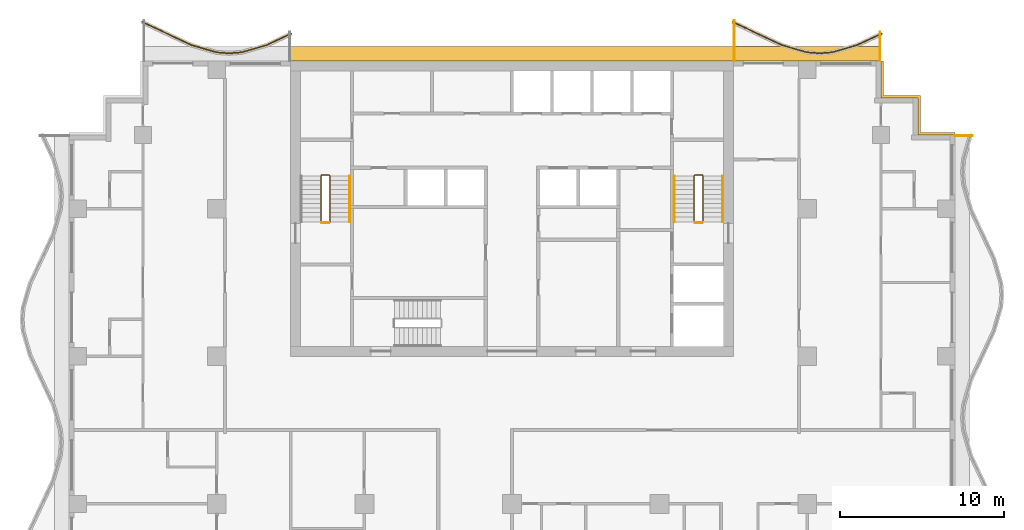
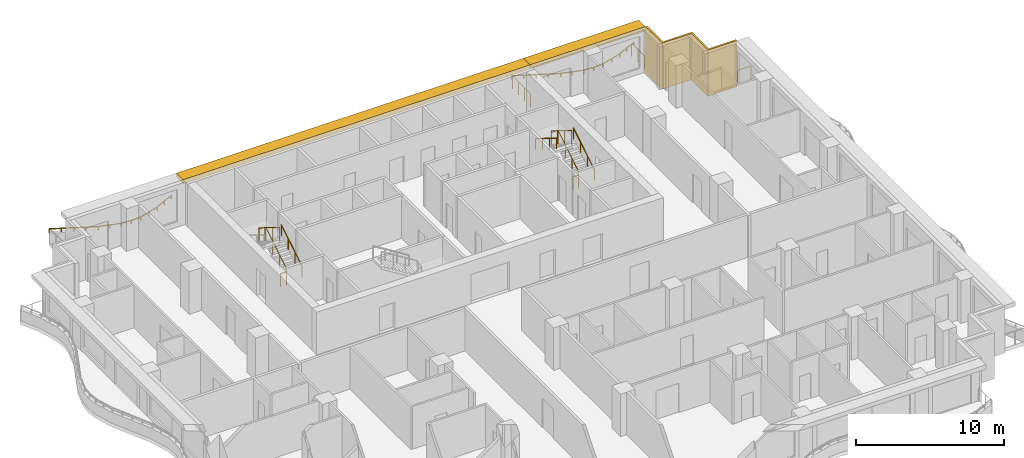
# One storey, part 11 of 11: 12 railings, 3 shading devices.
"""IFC4 building model written with IfcOpenShell, lengths in metres."""

from ifc_helpers import new_model, si_unit, direction, frame, origin, origin_2d, place, context, subcontext, project, spatial, polyline, rectangle, circle, outline, extrude, material, layer, layer_set, type_object, element, save


model = new_model("IFC4")

# Units and contexts
model_context = context("Model", 3, precision=1e-05, world=origin(), true_north=direction((0.0, 1.0)))
body_context = subcontext(model_context, "Body", "Model", "MODEL_VIEW")
ifc_project = project(units=[si_unit("LENGTHUNIT", "METRE"), si_unit("AREAUNIT", "SQUARE_METRE"), si_unit("VOLUMEUNIT", "CUBIC_METRE"), si_unit("PLANEANGLEUNIT", "RADIAN"), si_unit("MASSUNIT", "GRAM", prefix="KILO")], contexts=[model_context])

# Site, building, storey
site_placement = place(None, origin())
site = spatial("IfcSite", under=ifc_project, at=site_placement, CompositionType="ELEMENT")
building_placement = place(site_placement, origin())
building = spatial("IfcBuilding", under=site, at=building_placement, Name="Orbiselva Terraces", CompositionType="ELEMENT")
storey_placement = place(building_placement, frame((0.0, 0.0, 195.8)))
storey = spatial("IfcBuildingStorey", under=building, at=storey_placement, Name="L49", CompositionType="ELEMENT", Elevation=195.8)

# Railings
ifc_material_1 = material(Name="Stainless steel", Category="steel")
railing_type_1 = type_object("IfcRailingType", Name="CORE-GUARD-1100", PredefinedType="GUARDRAIL", material=ifc_material_1)
railing_1_placement = place(storey_placement, frame((-11.1, 12.7, 0.172727)))
element("IfcRailing", 1, at=railing_1_placement, inside=storey, type_object=railing_type_1, Name="L49 S1 stair guard 1", PredefinedType="GUARDRAIL", context=body_context, shape_type="SweptSolid", body=[
    extrude(circle(Radius=0.024, at=origin_2d()), frame((0.0, 0.0, 1.081), z_axis=(0.0, 0.851088519012, 0.52502222125), x_axis=(-1.0, 0.0, 0.0)), (0.0, 0.0, 1.0), 3.289905),
    extrude(circle(Radius=0.024, at=origin_2d()), frame((0.0, 2.8, 2.808273), z_axis=(-0.707106781187, 0.707106781187, 0.0), x_axis=(-0.707106781187, -0.707106781187, 0.0)), (0.0, 0.0, 1.0), 0.070711),
    extrude(circle(Radius=0.024, at=origin_2d()), frame((-0.05, 2.85, 2.808273), z_axis=(-1.0, 0.0, 0.0), x_axis=(0.0, -1.0, 0.0)), (0.0, 0.0, 1.0), 0.45),
    extrude(circle(Radius=0.024, at=origin_2d()), frame((-0.5, 2.85, 2.808273), z_axis=(-0.267894925557, -0.267894925557, 0.925453736133), x_axis=(0.707106781187, -0.707106781187, 0.0)), (0.0, 0.0, 1.0), 0.18664),
    extrude(circle(Radius=0.024, at=origin_2d()), frame((-0.55, 2.8, 2.981), z_axis=(0.0, -0.851088519012, 0.52502222125), x_axis=(1.0, 0.0, 0.0)), (0.0, 0.0, 1.0), 3.289905),
    extrude(circle(Radius=0.021, at=origin_2d()), origin(), (0.0, 0.0, 1.0), 1.057),
    extrude(circle(Radius=0.021, at=origin_2d()), frame((0.0, 0.933333, 0.575758)), (0.0, 0.0, 1.0), 1.057),
    extrude(circle(Radius=0.021, at=origin_2d()), frame((0.0, 1.866667, 1.151515)), (0.0, 0.0, 1.0), 1.057),
    extrude(circle(Radius=0.021, at=origin_2d()), frame((0.0, 2.8, 1.727273)), (0.0, 0.0, 1.0), 1.057),
    extrude(circle(Radius=0.021, at=origin_2d()), frame((-0.05, 2.85, 1.727273)), (0.0, 0.0, 1.0), 1.057),
    extrude(circle(Radius=0.021, at=origin_2d()), frame((-0.5, 2.85, 1.727273)), (0.0, 0.0, 1.0), 1.057),
    extrude(circle(Radius=0.021, at=origin_2d()), frame((-0.55, 2.8, 1.9)), (0.0, 0.0, 1.0), 1.057),
    extrude(circle(Radius=0.021, at=origin_2d()), frame((-0.55, 1.866667, 2.475758)), (0.0, 0.0, 1.0), 1.057),
    extrude(circle(Radius=0.021, at=origin_2d()), frame((-0.55, 0.933333, 3.051515)), (0.0, 0.0, 1.0), 1.057),
    extrude(circle(Radius=0.021, at=origin_2d()), frame((-0.55, 0.0, 3.627273)), (0.0, 0.0, 1.0), 1.057),
])
railing_2_placement = place(storey_placement, frame((-11.15, 12.65, 0.0)))
element("IfcRailing", 2, at=railing_2_placement, inside=storey, type_object=railing_type_1, Name="L49 S1 stair guard 2", PredefinedType="GUARDRAIL", context=body_context, shape_type="SweptSolid", body=[
    extrude(circle(Radius=0.024, at=origin_2d()), frame((0.0, 0.0, 1.081), z_axis=(-1.0, 0.0, 0.0), x_axis=(0.0, -1.0, 0.0)), (0.0, 0.0, 1.0), 0.45),
    extrude(circle(Radius=0.021, at=origin_2d()), origin(), (0.0, 0.0, 1.0), 1.057),
    extrude(circle(Radius=0.021, at=origin_2d()), frame((-0.45, 0.0, 0.0)), (0.0, 0.0, 1.0), 1.057),
])
railing_3_placement = place(storey_placement, frame((11.65, 12.7, 0.172727)))
element("IfcRailing", 3, at=railing_3_placement, inside=storey, type_object=railing_type_1, Name="L49 S2 stair guard 1", PredefinedType="GUARDRAIL", context=body_context, shape_type="SweptSolid", body=[
    extrude(circle(Radius=0.024, at=origin_2d()), frame((0.0, 0.0, 1.081), z_axis=(0.0, 0.851088519012, 0.52502222125), x_axis=(-1.0, 0.0, 0.0)), (0.0, 0.0, 1.0), 3.289905),
    extrude(circle(Radius=0.024, at=origin_2d()), frame((0.0, 2.8, 2.808273), z_axis=(-0.707106781187, 0.707106781187, 0.0), x_axis=(-0.707106781187, -0.707106781187, 0.0)), (0.0, 0.0, 1.0), 0.070711),
    extrude(circle(Radius=0.024, at=origin_2d()), frame((-0.05, 2.85, 2.808273), z_axis=(-1.0, 0.0, 0.0), x_axis=(0.0, -1.0, 0.0)), (0.0, 0.0, 1.0), 0.45),
    extrude(circle(Radius=0.024, at=origin_2d()), frame((-0.5, 2.85, 2.808273), z_axis=(-0.267894925557, -0.267894925557, 0.925453736133), x_axis=(0.707106781187, -0.707106781187, 0.0)), (0.0, 0.0, 1.0), 0.18664),
    extrude(circle(Radius=0.024, at=origin_2d()), frame((-0.55, 2.8, 2.981), z_axis=(0.0, -0.851088519012, 0.52502222125), x_axis=(1.0, 0.0, 0.0)), (0.0, 0.0, 1.0), 3.289905),
    extrude(circle(Radius=0.021, at=origin_2d()), origin(), (0.0, 0.0, 1.0), 1.057),
    extrude(circle(Radius=0.021, at=origin_2d()), frame((0.0, 0.933333, 0.575758)), (0.0, 0.0, 1.0), 1.057),
    extrude(circle(Radius=0.021, at=origin_2d()), frame((0.0, 1.866667, 1.151515)), (0.0, 0.0, 1.0), 1.057),
    extrude(circle(Radius=0.021, at=origin_2d()), frame((0.0, 2.8, 1.727273)), (0.0, 0.0, 1.0), 1.057),
    extrude(circle(Radius=0.021, at=origin_2d()), frame((-0.05, 2.85, 1.727273)), (0.0, 0.0, 1.0), 1.057),
    extrude(circle(Radius=0.021, at=origin_2d()), frame((-0.5, 2.85, 1.727273)), (0.0, 0.0, 1.0), 1.057),
    extrude(circle(Radius=0.021, at=origin_2d()), frame((-0.55, 2.8, 1.9)), (0.0, 0.0, 1.0), 1.057),
    extrude(circle(Radius=0.021, at=origin_2d()), frame((-0.55, 1.866667, 2.475758)), (0.0, 0.0, 1.0), 1.057),
    extrude(circle(Radius=0.021, at=origin_2d()), frame((-0.55, 0.933333, 3.051515)), (0.0, 0.0, 1.0), 1.057),
    extrude(circle(Radius=0.021, at=origin_2d()), frame((-0.55, 0.0, 3.627273)), (0.0, 0.0, 1.0), 1.057),
])
railing_4_placement = place(storey_placement, frame((11.6, 12.65, 0.0)))
element("IfcRailing", 4, at=railing_4_placement, inside=storey, type_object=railing_type_1, Name="L49 S2 stair guard 2", PredefinedType="GUARDRAIL", context=body_context, shape_type="SweptSolid", body=[
    extrude(circle(Radius=0.024, at=origin_2d()), frame((0.0, 0.0, 1.081), z_axis=(-1.0, 0.0, 0.0), x_axis=(0.0, -1.0, 0.0)), (0.0, 0.0, 1.0), 0.45),
    extrude(circle(Radius=0.021, at=origin_2d()), origin(), (0.0, 0.0, 1.0), 1.057),
    extrude(circle(Radius=0.021, at=origin_2d()), frame((-0.45, 0.0, 0.0)), (0.0, 0.0, 1.0), 1.057),
])
railing_type_2 = type_object("IfcRailingType", Name="CORE-HANDRAIL-900", PredefinedType="HANDRAIL", material=ifc_material_1)
for number, where, name in (
    (5, (-9.9, 12.7, 0.172727), "L49 S1 stair handrail 1"),
    (6, (12.85, 12.7, 0.172727), "L49 S2 stair handrail 1"),
):
    element("IfcRailing", number, at=place(storey_placement, frame(where)), inside=storey, type_object=railing_type_2, Name=name, PredefinedType="HANDRAIL", context=body_context, shape_type="SweptSolid", body=[
        extrude(circle(Radius=0.024, at=origin_2d()), frame((0.0, 0.0, 0.876), z_axis=(0.0, 0.851088519012, 0.52502222125), x_axis=(-1.0, 0.0, 0.0)), (0.0, 0.0, 1.0), 3.289905),
        extrude(circle(Radius=0.021, at=origin_2d()), origin(), (0.0, 0.0, 1.0), 0.852),
        extrude(circle(Radius=0.021, at=origin_2d()), frame((0.0, 0.933333, 0.575758)), (0.0, 0.0, 1.0), 0.852),
        extrude(circle(Radius=0.021, at=origin_2d()), frame((0.0, 1.866667, 1.151515)), (0.0, 0.0, 1.0), 0.852),
        extrude(circle(Radius=0.021, at=origin_2d()), frame((0.0, 2.8, 1.727273)), (0.0, 0.0, 1.0), 0.852),
    ])
railing_5_placement = place(storey_placement, frame((9.9, 15.5, 2.072727)))
element("IfcRailing", 7, at=railing_5_placement, inside=storey, type_object=railing_type_2, Name="L49 S2 stair handrail 2", PredefinedType="HANDRAIL", context=body_context, shape_type="SweptSolid", body=[
    extrude(circle(Radius=0.024, at=origin_2d()), frame((0.0, 0.0, 0.876), z_axis=(0.0, -0.851088519012, 0.52502222125), x_axis=(1.0, 0.0, 0.0)), (0.0, 0.0, 1.0), 3.289905),
    extrude(circle(Radius=0.021, at=origin_2d()), origin(), (0.0, 0.0, 1.0), 0.852),
    extrude(circle(Radius=0.021, at=origin_2d()), frame((0.0, -0.933333, 0.575758)), (0.0, 0.0, 1.0), 0.852),
    extrude(circle(Radius=0.021, at=origin_2d()), frame((0.0, -1.866667, 1.151515)), (0.0, 0.0, 1.0), 0.852),
    extrude(circle(Radius=0.021, at=origin_2d()), frame((0.0, -2.8, 1.727273)), (0.0, 0.0, 1.0), 0.852),
])
ifc_material_2 = material(Name="Bonded two-ply safety glass balustrade, stainless steel posts", Category="steel")
railing_type_3 = type_object("IfcRailingType", Name="ENV-BALUSTRADE-1200", PredefinedType="BALUSTRADE", material=ifc_material_2)
railing_6_placement = place(storey_placement, frame((22.553191, 24.186882, 0.9)))
element("IfcRailing", 8, at=railing_6_placement, inside=storey, type_object=railing_type_3, Name="Balcony balustrade L49 NE", PredefinedType="BALUSTRADE", context=body_context, shape_type="SweptSolid", body=[
    extrude(outline(polyline([(0.028868, 0.0), (0.014434, 0.025), (-0.014434, 0.025), (-0.028868, 0.0), (-0.014434, -0.025), (0.014434, -0.025), (0.028868, 0.0)])), frame((0.0, 0.0, 0.275), z_axis=(-0.904944157382, -0.425530342069, 0.0), x_axis=(0.425530342069, -0.904944157382, 0.0)), (0.0, 0.0, 1.0), 1.667376),
    extrude(outline(polyline([(0.028868, 0.0), (0.014434, 0.025), (-0.014434, 0.025), (-0.028868, 0.0), (-0.014434, -0.025), (0.014434, -0.025), (0.028868, 0.0)])), frame((-1.508882, -0.709519, 0.275), z_axis=(-0.960270491427, -0.279070928786, 0.0), x_axis=(0.279070928786, -0.960270491427, 0.0)), (0.0, 0.0, 1.0), 1.584712),
    extrude(outline(polyline([(0.028868, 0.0), (0.014434, 0.025), (-0.014434, 0.025), (-0.028868, 0.0), (-0.014434, -0.025), (0.014434, -0.025), (0.028868, 0.0)])), frame((-3.030634, -1.151766, 0.275), z_axis=(-0.996947796737, -0.078071061106, 0.0), x_axis=(0.078071061106, -0.996947796737, 0.0)), (0.0, 0.0, 1.0), 0.774922),
    extrude(outline(polyline([(0.028868, 0.0), (0.014434, 0.025), (-0.014434, 0.025), (-0.028868, 0.0), (-0.014434, -0.025), (0.014434, -0.025), (0.028868, 0.0)])), frame((-3.803191, -1.212265, 0.275), z_axis=(-0.996947796737, 0.078071061106, 0.0), x_axis=(-0.078071061106, -0.996947796737, 0.0)), (0.0, 0.0, 1.0), 0.774922),
    extrude(outline(polyline([(0.028868, 0.0), (0.014434, 0.025), (-0.014434, 0.025), (-0.028868, 0.0), (-0.014434, -0.025), (0.014434, -0.025), (0.028868, 0.0)])), frame((-4.575748, -1.151766, 0.275), z_axis=(-0.960270491427, 0.279070928786, 0.0), x_axis=(-0.279070928786, -0.960270491427, 0.0)), (0.0, 0.0, 1.0), 1.584712),
    extrude(outline(polyline([(0.028868, 0.0), (0.014434, 0.025), (-0.014434, 0.025), (-0.028868, 0.0), (-0.014434, -0.025), (0.014434, -0.025), (0.028868, 0.0)])), frame((-6.0975, -0.709519, 0.275), z_axis=(-0.904944157382, 0.425530342069, 0.0), x_axis=(-0.425530342069, -0.904944157382, 0.0)), (0.0, 0.0, 1.0), 1.667376),
    extrude(outline(polyline([(0.028868, 0.0), (0.014434, 0.025), (-0.014434, 0.025), (-0.028868, 0.0), (-0.014434, -0.025), (0.014434, -0.025), (0.028868, 0.0)])), frame((-7.606382, 0.0, 0.275), z_axis=(-0.904944257823, 0.425530128467, 0.0), x_axis=(-0.425530128467, -0.904944257823, 0.0)), (0.0, 0.0, 1.0), 1.657561),
    extrude(rectangle(XDim=0.05, YDim=0.05, at=origin_2d()), origin(), (0.0, 0.0, 1.0), 0.25),
    extrude(rectangle(XDim=0.05, YDim=0.05, at=origin_2d()), frame((-0.754441, -0.35476, 0.0)), (0.0, 0.0, 1.0), 0.25),
    extrude(rectangle(XDim=0.05, YDim=0.05, at=origin_2d()), frame((-1.508882, -0.709519, 0.0)), (0.0, 0.0, 1.0), 0.25),
    extrude(rectangle(XDim=0.05, YDim=0.05, at=origin_2d()), frame((-2.269758, -0.930643, 0.0)), (0.0, 0.0, 1.0), 0.25),
    extrude(rectangle(XDim=0.05, YDim=0.05, at=origin_2d()), frame((-3.030634, -1.151766, 0.0)), (0.0, 0.0, 1.0), 0.25),
    extrude(rectangle(XDim=0.05, YDim=0.05, at=origin_2d()), frame((-3.803191, -1.212265, 0.0)), (0.0, 0.0, 1.0), 0.25),
    extrude(rectangle(XDim=0.05, YDim=0.05, at=origin_2d()), frame((-4.575748, -1.151766, 0.0)), (0.0, 0.0, 1.0), 0.25),
    extrude(rectangle(XDim=0.05, YDim=0.05, at=origin_2d()), frame((-5.336624, -0.930643, 0.0)), (0.0, 0.0, 1.0), 0.25),
    extrude(rectangle(XDim=0.05, YDim=0.05, at=origin_2d()), frame((-6.0975, -0.709519, 0.0)), (0.0, 0.0, 1.0), 0.25),
    extrude(rectangle(XDim=0.05, YDim=0.05, at=origin_2d()), frame((-6.851941, -0.35476, 0.0)), (0.0, 0.0, 1.0), 0.25),
    extrude(rectangle(XDim=0.05, YDim=0.05, at=origin_2d()), frame((-7.606382, 0.0, 0.0)), (0.0, 0.0, 1.0), 0.25),
    extrude(rectangle(XDim=0.05, YDim=0.05, at=origin_2d()), frame((-8.356382, 0.352671, 0.0)), (0.0, 0.0, 1.0), 0.25),
    extrude(rectangle(XDim=0.05, YDim=0.05, at=origin_2d()), frame((-9.106382, 0.705342, 0.0)), (0.0, 0.0, 1.0), 0.25),
])
railing_7_placement = place(storey_placement, frame((-13.446809, 24.186882, 0.9)))
element("IfcRailing", 9, at=railing_7_placement, inside=storey, type_object=railing_type_3, Name="Balcony balustrade L49 NW", PredefinedType="BALUSTRADE", context=body_context, shape_type="SweptSolid", body=[
    extrude(outline(polyline([(0.028868, 0.0), (0.014434, 0.025), (-0.014434, 0.025), (-0.028868, 0.0), (-0.014434, -0.025), (0.014434, -0.025), (0.028868, 0.0)])), frame((0.0, 0.0, 0.275), z_axis=(-0.904944157382, -0.425530342069, 0.0), x_axis=(0.425530342069, -0.904944157382, 0.0)), (0.0, 0.0, 1.0), 1.667376),
    extrude(outline(polyline([(0.028868, 0.0), (0.014434, 0.025), (-0.014434, 0.025), (-0.028868, 0.0), (-0.014434, -0.025), (0.014434, -0.025), (0.028868, 0.0)])), frame((-1.508882, -0.709519, 0.275), z_axis=(-0.960270491427, -0.279070928786, 0.0), x_axis=(0.279070928786, -0.960270491427, 0.0)), (0.0, 0.0, 1.0), 1.584712),
    extrude(outline(polyline([(0.028868, 0.0), (0.014434, 0.025), (-0.014434, 0.025), (-0.028868, 0.0), (-0.014434, -0.025), (0.014434, -0.025), (0.028868, 0.0)])), frame((-3.030634, -1.151766, 0.275), z_axis=(-0.996947796737, -0.078071061106, 0.0), x_axis=(0.078071061106, -0.996947796737, 0.0)), (0.0, 0.0, 1.0), 0.774922),
    extrude(outline(polyline([(0.028868, 0.0), (0.014434, 0.025), (-0.014434, 0.025), (-0.028868, 0.0), (-0.014434, -0.025), (0.014434, -0.025), (0.028868, 0.0)])), frame((-3.803191, -1.212265, 0.275), z_axis=(-0.996947796737, 0.078071061106, 0.0), x_axis=(-0.078071061106, -0.996947796737, 0.0)), (0.0, 0.0, 1.0), 0.774922),
    extrude(outline(polyline([(0.028868, 0.0), (0.014434, 0.025), (-0.014434, 0.025), (-0.028868, 0.0), (-0.014434, -0.025), (0.014434, -0.025), (0.028868, 0.0)])), frame((-4.575748, -1.151766, 0.275), z_axis=(-0.960270491427, 0.279070928786, 0.0), x_axis=(-0.279070928786, -0.960270491427, 0.0)), (0.0, 0.0, 1.0), 1.584712),
    extrude(outline(polyline([(0.028868, 0.0), (0.014434, 0.025), (-0.014434, 0.025), (-0.028868, 0.0), (-0.014434, -0.025), (0.014434, -0.025), (0.028868, 0.0)])), frame((-6.0975, -0.709519, 0.275), z_axis=(-0.904944157382, 0.425530342069, 0.0), x_axis=(-0.425530342069, -0.904944157382, 0.0)), (0.0, 0.0, 1.0), 1.667376),
    extrude(outline(polyline([(0.028868, 0.0), (0.014434, 0.025), (-0.014434, 0.025), (-0.028868, 0.0), (-0.014434, -0.025), (0.014434, -0.025), (0.028868, 0.0)])), frame((-7.606382, 0.0, 0.275), z_axis=(-0.904944257823, 0.425530128467, 0.0), x_axis=(-0.425530128467, -0.904944257823, 0.0)), (0.0, 0.0, 1.0), 1.657561),
    extrude(rectangle(XDim=0.05, YDim=0.05, at=origin_2d()), origin(), (0.0, 0.0, 1.0), 0.25),
    extrude(rectangle(XDim=0.05, YDim=0.05, at=origin_2d()), frame((-0.754441, -0.35476, 0.0)), (0.0, 0.0, 1.0), 0.25),
    extrude(rectangle(XDim=0.05, YDim=0.05, at=origin_2d()), frame((-1.508882, -0.709519, 0.0)), (0.0, 0.0, 1.0), 0.25),
    extrude(rectangle(XDim=0.05, YDim=0.05, at=origin_2d()), frame((-2.269758, -0.930643, 0.0)), (0.0, 0.0, 1.0), 0.25),
    extrude(rectangle(XDim=0.05, YDim=0.05, at=origin_2d()), frame((-3.030634, -1.151766, 0.0)), (0.0, 0.0, 1.0), 0.25),
    extrude(rectangle(XDim=0.05, YDim=0.05, at=origin_2d()), frame((-3.803191, -1.212265, 0.0)), (0.0, 0.0, 1.0), 0.25),
    extrude(rectangle(XDim=0.05, YDim=0.05, at=origin_2d()), frame((-4.575748, -1.151766, 0.0)), (0.0, 0.0, 1.0), 0.25),
    extrude(rectangle(XDim=0.05, YDim=0.05, at=origin_2d()), frame((-5.336624, -0.930643, 0.0)), (0.0, 0.0, 1.0), 0.25),
    extrude(rectangle(XDim=0.05, YDim=0.05, at=origin_2d()), frame((-6.0975, -0.709519, 0.0)), (0.0, 0.0, 1.0), 0.25),
    extrude(rectangle(XDim=0.05, YDim=0.05, at=origin_2d()), frame((-6.851941, -0.35476, 0.0)), (0.0, 0.0, 1.0), 0.25),
    extrude(rectangle(XDim=0.05, YDim=0.05, at=origin_2d()), frame((-7.606382, 0.0, 0.0)), (0.0, 0.0, 1.0), 0.25),
    extrude(rectangle(XDim=0.05, YDim=0.05, at=origin_2d()), frame((-8.356382, 0.352671, 0.0)), (0.0, 0.0, 1.0), 0.25),
    extrude(rectangle(XDim=0.05, YDim=0.05, at=origin_2d()), frame((-9.106382, 0.705342, 0.0)), (0.0, 0.0, 1.0), 0.25),
])
ifc_material_3 = material(Name="Stainless steel rail and posts", Category="steel")
railing_type_4 = type_object("IfcRailingType", Name="ENV-GUARD-1105", PredefinedType="BALUSTRADE", material=ifc_material_3)
railing_8_placement = place(storey_placement, frame((28.070484, 17.94, 0.0)))
element("IfcRailing", 10, at=railing_8_placement, inside=storey, type_object=railing_type_4, Name="Balcony end guard L49 E", PredefinedType="BALUSTRADE", context=body_context, shape_type="SweptSolid", body=[
    extrude(outline(polyline([(0.028868, 0.0), (0.014434, 0.025), (-0.014434, 0.025), (-0.028868, 0.0), (-0.014434, -0.025), (0.014434, -0.025), (0.028868, 0.0)])), frame((0.0, 0.0, 1.08), z_axis=(-1.0, 0.0, 0.0), x_axis=(0.0, -1.0, 0.0)), (0.0, 0.0, 1.0), 1.045484),
    extrude(rectangle(XDim=0.05, YDim=0.05, at=origin_2d()), origin(), (0.0, 0.0, 1.0), 1.055),
    extrude(rectangle(XDim=0.05, YDim=0.05, at=origin_2d()), frame((-1.045484, 0.0, 0.0)), (0.0, 0.0, 1.0), 1.055),
])
railing_9_placement = place(storey_placement, frame((22.44, 24.269844, 0.0)))
element("IfcRailing", 11, at=railing_9_placement, inside=storey, type_object=railing_type_4, Name="Balcony end guard L49 NE", PredefinedType="BALUSTRADE", context=body_context, shape_type="SweptSolid", body=[
    extrude(outline(polyline([(0.028868, 0.0), (0.014434, 0.025), (-0.014434, 0.025), (-0.028868, 0.0), (-0.014434, -0.025), (0.014434, -0.025), (0.028868, 0.0)])), frame((0.0, 0.0, 1.08), z_axis=(0.0, -1.0, 0.0), x_axis=(1.0, 0.0, 0.0)), (0.0, 0.0, 1.0), 1.744844),
    extrude(rectangle(XDim=0.05, YDim=0.05, at=origin_2d()), origin(), (0.0, 0.0, 1.0), 1.055),
    extrude(rectangle(XDim=0.05, YDim=0.05, at=origin_2d()), frame((0.0, -0.872422, 0.0)), (0.0, 0.0, 1.0), 1.055),
    extrude(rectangle(XDim=0.05, YDim=0.05, at=origin_2d()), frame((0.0, -1.744844, 0.0)), (0.0, 0.0, 1.0), 1.055),
])
railing_10_placement = place(storey_placement, frame((13.56, 24.980723, 0.0)))
element("IfcRailing", 12, at=railing_10_placement, inside=storey, type_object=railing_type_4, Name="Balcony end guard L49 NE", PredefinedType="BALUSTRADE", context=body_context, shape_type="SweptSolid", body=[
    extrude(outline(polyline([(0.028868, 0.0), (0.014434, 0.025), (-0.014434, 0.025), (-0.028868, 0.0), (-0.014434, -0.025), (0.014434, -0.025), (0.028868, 0.0)])), frame((0.0, 0.0, 1.08), z_axis=(0.0, -1.0, 0.0), x_axis=(1.0, 0.0, 0.0)), (0.0, 0.0, 1.0), 2.455723),
    extrude(rectangle(XDim=0.05, YDim=0.05, at=origin_2d()), origin(), (0.0, 0.0, 1.0), 1.055),
    extrude(rectangle(XDim=0.05, YDim=0.05, at=origin_2d()), frame((0.0, -0.818574, 0.0)), (0.0, 0.0, 1.0), 1.055),
    extrude(rectangle(XDim=0.05, YDim=0.05, at=origin_2d()), frame((0.0, -1.637149, 0.0)), (0.0, 0.0, 1.0), 1.055),
    extrude(rectangle(XDim=0.05, YDim=0.05, at=origin_2d()), frame((0.0, -2.455723, 0.0)), (0.0, 0.0, 1.0), 1.055),
])

# Shading devices
ifc_material_4 = material(Name="Terracotta louvre screen", Category="masonry")
ifc_layer_1 = layer(ifc_material_4, 0.15)
ifc_layer_set_1 = layer_set([ifc_layer_1], Name="Terracotta louvre screen")
shading_device_type_1 = type_object("IfcShadingDeviceType", Name="ENV-SCREEN-150", PredefinedType="USERDEFINED", material=ifc_layer_set_1)
shading_device_1_placement = place(storey_placement, frame((0.0, 0.0, -0.3)))
element("IfcShadingDevice", 13, at=shading_device_1_placement, inside=storey, type_object=shading_device_type_1, Name="Louvre screen L49 NE", ObjectType="SCREEN", PredefinedType="USERDEFINED", context=body_context, shape_type="SweptSolid", body=[
    extrude(outline(polyline([(27.0, 18.15), (24.9, 18.15), (24.9, 20.4), (22.65, 20.4), (22.65, 22.5), (22.5, 22.5), (22.5, 20.25), (24.75, 20.25), (24.75, 18.0), (27.0, 18.0), (27.0, 18.15)])), origin(), (0.0, 0.0, 1.0), 3.8),
])
ifc_material_5 = material(Name="Terracotta baguette sunshade", Category="masonry")
ifc_layer_2 = layer(ifc_material_5, 0.35)
ifc_layer_set_2 = layer_set([ifc_layer_2], Name="Terracotta baguette sunshade")
shading_device_type_2 = type_object("IfcShadingDeviceType", Name="ENV-SUNSHADE-900x350", PredefinedType="USERDEFINED", material=ifc_layer_set_2)
shading_device_2_placement = place(storey_placement, frame((0.0, 0.0, 3.15)))
element("IfcShadingDevice", 14, at=shading_device_2_placement, inside=storey, type_object=shading_device_type_2, Name="Sunshade band L49 NE", ObjectType="SUNSHADE", PredefinedType="USERDEFINED", context=body_context, shape_type="SweptSolid", body=[
    extrude(outline(polyline([(22.5, 23.4), (13.5, 23.4), (13.5, 22.5), (22.5, 22.5), (22.5, 23.4)])), origin(), (0.0, 0.0, 1.0), 0.35),
])
shading_device_3_placement = place(storey_placement, frame((0.0, 0.0, 3.15)))
element("IfcShadingDevice", 15, at=shading_device_3_placement, inside=storey, type_object=shading_device_type_2, Name="Sunshade band L49 CORE NORTH", ObjectType="SUNSHADE", PredefinedType="USERDEFINED", context=body_context, shape_type="SweptSolid", body=[
    extrude(outline(polyline([(13.5, 23.4), (-13.5, 23.4), (-13.5, 22.5), (13.5, 22.5), (13.5, 23.4)])), origin(), (0.0, 0.0, 1.0), 0.35),
])

save(model, "model.ifc")
